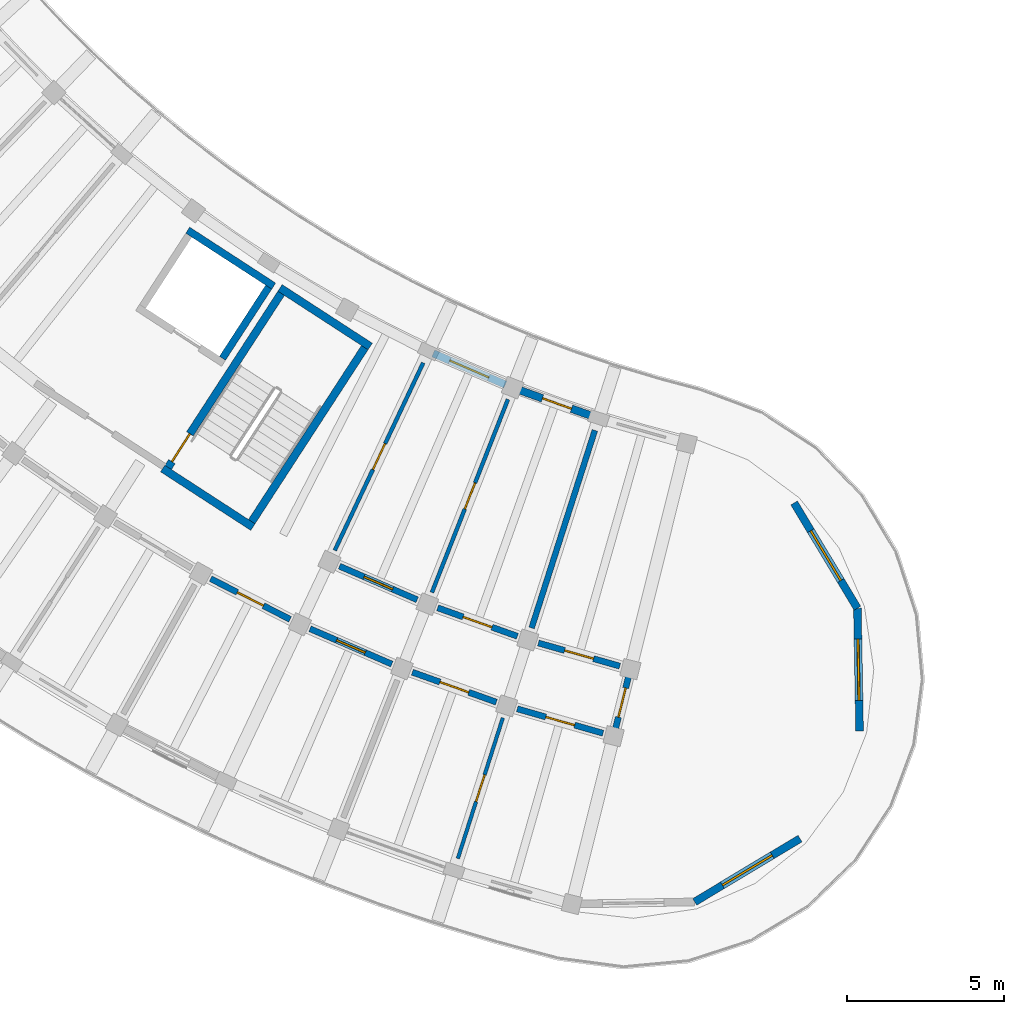
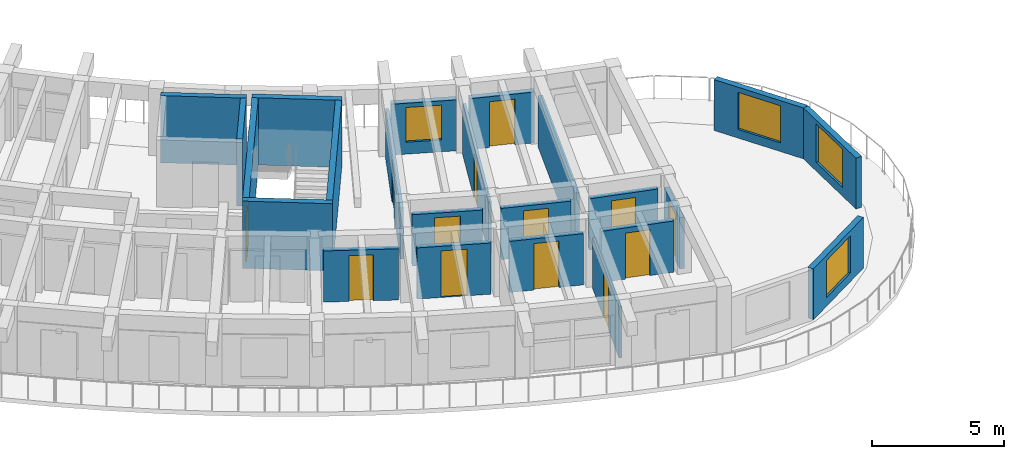
# One storey, part 42 of 81: 23 walls, 13 doors, 4 windows, 17 openings.
"""IFC4 building model written with IfcOpenShell, lengths in metres."""

from ifc_helpers import new_model, si_unit, direction, frame, frame_2d, origin, place, context, subcontext, project, spatial, rectangle, extrude, material, layer, layer_set, type_object, element, fill, save


model = new_model("IFC4")

# Units and contexts
model_context = context("Model", 3, precision=1e-05, world=origin(), true_north=direction((0.0, 1.0)))
body_context = subcontext(model_context, "Body", "Model", "MODEL_VIEW")
ifc_project = project(units=[si_unit("LENGTHUNIT", "METRE"), si_unit("AREAUNIT", "SQUARE_METRE"), si_unit("VOLUMEUNIT", "CUBIC_METRE"), si_unit("PLANEANGLEUNIT", "RADIAN"), si_unit("MASSUNIT", "GRAM", prefix="KILO")], contexts=[model_context])

# Site, building, storey
site_placement = place(None, origin())
site = spatial("IfcSite", under=ifc_project, at=site_placement, CompositionType="ELEMENT")
building_placement = place(site_placement, origin())
building = spatial("IfcBuilding", under=site, at=building_placement, Name="Tanwirah Colonnade Gardens", CompositionType="ELEMENT")
storey_placement = place(building_placement, frame((0.0, 0.0, 18.919921875)))
storey = spatial("IfcBuildingStorey", under=building, at=storey_placement, Name="L05", CompositionType="ELEMENT", Elevation=18.919921875)

# Wall, opening, window
ifc_material_1 = material(Name="Limestone architectural precast concrete C40/50", Category="masonry")
ifc_layer_1 = layer(ifc_material_1, 0.2451171875)
ifc_layer_set_1 = layer_set([ifc_layer_1], Name="Limestone architectural precast concrete C40/50")
wall_type_1 = type_object("IfcWallType", Name="EW-PC245", PredefinedType="SOLIDWALL", material=ifc_layer_set_1)
wall_1_placement = place(storey_placement, frame((46.185791015625, 24.2333984375, 0.0), z_axis=(0.0, 0.0, 1.0), x_axis=(0.91795321239, -0.396688668686, 0.0)))
wall_1 = element("IfcWall", 1, at=wall_1_placement, inside=storey, type_object=wall_type_1, Name="Block C L05 IN Precast Facade Wall 13", PredefinedType="SOLIDWALL", context=body_context, shape_type="SweptSolid", body=[
    extrude(rectangle(XDim=2.498779296875, YDim=0.2451171875, at=frame_2d((1.24951171875, 0.0))), origin(), (0.0, 0.0, 1.0), 2.35498046875),
])
opening_1_placement = place(wall_1_placement, frame((0.5693359375, 0.0, 0.550048828125)))
opening_1 = element("IfcOpeningElement", 2, at=opening_1_placement, cuts=wall_1, Name="Opening WIN-U06", PredefinedType="OPENING", context=body_context, shape_type="SweptSolid", body=[
    extrude(rectangle(XDim=1.360107421875, YDim=1.610107421875, at=frame_2d((0.68017578125, 0.80517578125))), frame((0.0, 0.132568359375, 0.0), z_axis=(0.0, -1.0, 0.0), x_axis=(1.0, 0.0, 0.0)), (0.0, 0.0, 1.0), 0.26513671875),
])
ifc_material_2 = material(Name="Thermally broken bronze aluminium and solar low-E double glazing", Category="aluminium")
window_type_1 = type_object("IfcWindowType", Name="WIN-U06", PartitioningType="DOUBLE_PANEL_VERTICAL", PredefinedType="WINDOW", material=ifc_material_2)
window_1_placement = place(opening_1_placement, origin())
window_1 = element("IfcWindow", 3, at=window_1_placement, inside=storey, type_object=window_type_1, Name="Facade window C-L05-IN-13", OverallHeight=1.610107421875, OverallWidth=1.360107421875, PartitioningType="SINGLE_PANEL", PredefinedType="WINDOW", context=body_context, shape_type="SweptSolid", body=[
    extrude(rectangle(XDim=1.360107421875, YDim=1.610107421875, at=frame_2d((0.68017578125, 0.80517578125))), frame((0.0, 0.030029296875, 0.0), z_axis=(0.0, -1.0, 0.0), x_axis=(1.0, 0.0, 0.0)), (0.0, 0.0, 1.0), 0.06005859375),
])
fill(opening_1, window_1)

# Wall, opening, door
wall_2_placement = place(storey_placement, frame((48.944580078125, 23.05908203125, 0.0), z_axis=(0.0, 0.0, 1.0), x_axis=(0.941892135469, -0.33591547321, 0.0)))
wall_2 = element("IfcWall", 4, at=wall_2_placement, inside=storey, type_object=wall_type_1, Name="Block C L05 IN Precast Facade Wall 14", PredefinedType="SOLIDWALL", context=body_context, shape_type="SweptSolid", body=[
    extrude(rectangle(XDim=2.498779296875, YDim=0.2451171875, at=frame_2d((1.24951171875, 0.0))), origin(), (0.0, 0.0, 1.0), 2.35498046875),
])
opening_2_placement = place(wall_2_placement, frame((0.759521484375, 0.0, 0.0)))
opening_2 = element("IfcOpeningElement", 5, at=opening_2_placement, cuts=wall_2, Name="Opening L05-ED153", PredefinedType="OPENING", context=body_context, shape_type="SweptSolid", body=[
    extrude(rectangle(XDim=0.97998046875, YDim=2.1201171875, at=frame_2d((0.489990234375, 1.06005859375))), frame((0.0, 0.132568359375, 0.0), z_axis=(0.0, -1.0, 0.0), x_axis=(1.0, 0.0, 0.0)), (0.0, 0.0, 1.0), 0.26513671875),
])
ifc_material_3 = material(Name="Bronze aluminium glazed balcony door", Category="aluminium")
door_type_1 = type_object("IfcDoorType", Name="ED-BAL098", OperationType="NOTDEFINED", PredefinedType="DOOR", material=ifc_material_3)
door_1_placement = place(opening_2_placement, origin())
door_1 = element("IfcDoor", 6, at=door_1_placement, inside=storey, type_object=door_type_1, Name="Balcony glazed door L05-ED153", OperationType="SINGLE_SWING_RIGHT", OverallHeight=2.1201171875, OverallWidth=0.97998046875, PredefinedType="DOOR", context=body_context, shape_type="SweptSolid", body=[
    extrude(rectangle(XDim=0.97998046875, YDim=2.1201171875, at=frame_2d((0.489990234375, 1.06005859375))), frame((0.0, 0.02490234375, 0.0), z_axis=(0.0, -1.0, 0.0), x_axis=(1.0, 0.0, 0.0)), (0.0, 0.0, 1.0), 0.050048828125),
])
fill(opening_2, door_1)

# Wall, opening, window
wall_3_placement = place(storey_placement, frame((57.664794921875, 19.4755859375, 0.0), z_axis=(0.0, 0.0, 1.0), x_axis=(0.515019321998, -0.857178568309, 0.0)))
wall_3 = element("IfcWall", 7, at=wall_3_placement, inside=storey, type_object=wall_type_1, Name="Block C L05 END Rounded End Wall 1", PredefinedType="SOLIDWALL", context=body_context, shape_type="SweptSolid", body=[
    extrude(rectangle(XDim=3.907958984375, YDim=0.2451171875, at=frame_2d((1.9541015625, 0.0))), origin(), (0.0, 0.0, 1.0), 2.35498046875),
])
opening_3_placement = place(wall_3_placement, frame((1.029052734375, 0.0, 0.39990234375)))
opening_3 = element("IfcOpeningElement", 8, at=opening_3_placement, cuts=wall_3, Name="Opening WIN-END1", PredefinedType="OPENING", context=body_context, shape_type="SweptSolid", body=[
    extrude(rectangle(XDim=1.85009765625, YDim=1.719970703125, at=frame_2d((0.925048828125, 0.85986328125))), frame((0.0, 0.132568359375, 0.0), z_axis=(0.0, -1.0, 0.0), x_axis=(1.0, 0.0, 0.0)), (0.0, 0.0, 1.0), 0.26513671875),
])
window_type_2 = type_object("IfcWindowType", Name="WIN-END1", PartitioningType="TRIPLE_PANEL_VERTICAL", PredefinedType="WINDOW", material=ifc_material_2)
window_2_placement = place(opening_3_placement, origin())
window_2 = element("IfcWindow", 9, at=window_2_placement, inside=storey, type_object=window_type_2, Name="Rounded corner window C-L05-END-1", OverallHeight=1.719970703125, OverallWidth=1.85009765625, PartitioningType="SINGLE_PANEL", PredefinedType="WINDOW", context=body_context, shape_type="SweptSolid", body=[
    extrude(rectangle(XDim=1.85009765625, YDim=1.719970703125, at=frame_2d((0.925048828125, 0.85986328125))), frame((0.0, 0.030029296875, 0.0), z_axis=(0.0, -1.0, 0.0), x_axis=(1.0, 0.0, 0.0)), (0.0, 0.0, 1.0), 0.06005859375),
])
fill(opening_3, window_2)

wall_4_placement = place(storey_placement, frame((59.677490234375, 16.125732421875, 0.0), z_axis=(0.0, 0.0, 1.0), x_axis=(0.017490763899, -0.999847024888, 0.0)))
wall_4 = element("IfcWall", 10, at=wall_4_placement, inside=storey, type_object=wall_type_1, Name="Block C L05 END Rounded End Wall 2", PredefinedType="SOLIDWALL", context=body_context, shape_type="SweptSolid", body=[
    extrude(rectangle(XDim=3.908203125, YDim=0.2451171875, at=frame_2d((1.9541015625, 0.0))), origin(), (0.0, 0.0, 1.0), 2.35498046875),
])
opening_4_placement = place(wall_4_placement, frame((0.97900390625, 0.0, 0.39990234375)))
opening_4 = element("IfcOpeningElement", 11, at=opening_4_placement, cuts=wall_4, Name="Opening WIN-END2", PredefinedType="OPENING", context=body_context, shape_type="SweptSolid", body=[
    extrude(rectangle(XDim=1.949951171875, YDim=1.780029296875, at=frame_2d((0.97509765625, 0.89013671875))), frame((0.0, 0.132568359375, 0.0), z_axis=(0.0, -1.0, 0.0), x_axis=(1.0, 0.0, 0.0)), (0.0, 0.0, 1.0), 0.26513671875),
])
window_type_3 = type_object("IfcWindowType", Name="WIN-END2", PartitioningType="TRIPLE_PANEL_VERTICAL", PredefinedType="WINDOW", material=ifc_material_2)
window_3_placement = place(opening_4_placement, origin())
window_3 = element("IfcWindow", 12, at=window_3_placement, inside=storey, type_object=window_type_3, Name="Rounded corner window C-L05-END-2", OverallHeight=1.780029296875, OverallWidth=1.949951171875, PartitioningType="SINGLE_PANEL", PredefinedType="WINDOW", context=body_context, shape_type="SweptSolid", body=[
    extrude(rectangle(XDim=1.949951171875, YDim=1.780029296875, at=frame_2d((0.97509765625, 0.89013671875))), frame((0.0, 0.030029296875, 0.0), z_axis=(0.0, -1.0, 0.0), x_axis=(1.0, 0.0, 0.0)), (0.0, 0.0, 1.0), 0.06005859375),
])
fill(opening_4, window_3)

wall_5_placement = place(storey_placement, frame((57.85107421875, 8.800048828125, 0.0), z_axis=(0.0, 0.0, 1.0), x_axis=(-0.85715098885, -0.515065221417, 0.0)))
wall_5 = element("IfcWall", 13, at=wall_5_placement, inside=storey, type_object=wall_type_1, Name="Block C L05 END Rounded End Wall 4", PredefinedType="SOLIDWALL", context=body_context, shape_type="SweptSolid", body=[
    extrude(rectangle(XDim=3.908203125, YDim=0.2451171875, at=frame_2d((1.9541015625, 0.0))), origin(), (0.0, 0.0, 1.0), 2.35498046875),
])
opening_5_placement = place(wall_5_placement, frame((1.029052734375, 0.0, 0.39990234375)))
opening_5 = element("IfcOpeningElement", 14, at=opening_5_placement, cuts=wall_5, Name="Opening WIN-END1", PredefinedType="OPENING", context=body_context, shape_type="SweptSolid", body=[
    extrude(rectangle(XDim=1.85009765625, YDim=1.719970703125, at=frame_2d((0.925048828125, 0.85986328125))), frame((0.0, 0.132568359375, 0.0), z_axis=(0.0, -1.0, 0.0), x_axis=(1.0, 0.0, 0.0)), (0.0, 0.0, 1.0), 0.26513671875),
])
window_4_placement = place(opening_5_placement, origin())
window_4 = element("IfcWindow", 15, at=window_4_placement, inside=storey, type_object=window_type_2, Name="Rounded corner window C-L05-END-4", OverallHeight=1.719970703125, OverallWidth=1.85009765625, PartitioningType="SINGLE_PANEL", PredefinedType="WINDOW", context=body_context, shape_type="SweptSolid", body=[
    extrude(rectangle(XDim=1.85009765625, YDim=1.719970703125, at=frame_2d((0.925048828125, 0.85986328125))), frame((0.0, 0.030029296875, 0.0), z_axis=(0.0, -1.0, 0.0), x_axis=(1.0, 0.0, 0.0)), (0.0, 0.0, 1.0), 0.06005859375),
])
fill(opening_5, window_4)

# Wall, opening, door
ifc_material_4 = material(Name="Precast concrete C40/50", Category="concrete")
ifc_layer_2 = layer(ifc_material_4, 0.195068359375)
ifc_layer_set_2 = layer_set([ifc_layer_2], Name="Precast concrete C40/50")
wall_type_2 = type_object("IfcWallType", Name="IW-CORR195", PredefinedType="PARTITIONING", material=ifc_layer_set_2)
wall_6_placement = place(storey_placement, frame((39.107421875, 17.067138671875, 0.0), z_axis=(0.0, 0.0, 1.0), x_axis=(0.890030590607, -0.45590080915, 0.0)))
wall_6 = element("IfcWall", 16, at=wall_6_placement, inside=storey, type_object=wall_type_2, Name="Block C L05 OUT Corridor Wall 12", PredefinedType="PARTITIONING", context=body_context, shape_type="SweptSolid", body=[
    extrude(rectangle(XDim=2.837158203125, YDim=0.195068359375, at=frame_2d((1.41845703125, 0.0))), origin(), (0.0, 0.0, 1.0), 2.3701171875),
])
opening_6_placement = place(wall_6_placement, frame((0.95361328125, 0.0, 0.0)))
opening_6 = element("IfcOpeningElement", 17, at=opening_6_placement, cuts=wall_6, Name="Opening L05-AD1493", PredefinedType="OPENING", context=body_context, shape_type="SweptSolid", body=[
    extrude(rectangle(XDim=0.929931640625, YDim=2.1201171875, at=frame_2d((0.46484375, 1.06005859375))), frame((0.0, 0.107421875, 0.0), z_axis=(0.0, -1.0, 0.0), x_axis=(1.0, 0.0, 0.0)), (0.0, 0.0, 1.0), 0.215087890625),
])
ifc_material_5 = material(Name="Solid oak fire-resisting apartment entrance door")
door_type_2 = type_object("IfcDoorType", Name="ID-FLT093", OperationType="NOTDEFINED", PredefinedType="DOOR", material=ifc_material_5)
door_2_placement = place(opening_6_placement, origin())
door_2 = element("IfcDoor", 18, at=door_2_placement, inside=storey, type_object=door_type_2, Name="Apartment corridor door L05-AD1493", OperationType="SINGLE_SWING_RIGHT", OverallHeight=2.1201171875, OverallWidth=0.929931640625, PredefinedType="DOOR", context=body_context, shape_type="SweptSolid", body=[
    extrude(rectangle(XDim=0.929931640625, YDim=2.1201171875, at=frame_2d((0.46484375, 1.06005859375))), frame((0.0, 0.02490234375, 0.0), z_axis=(0.0, -1.0, 0.0), x_axis=(1.0, 0.0, 0.0)), (0.0, 0.0, 1.0), 0.050048828125),
])
fill(opening_6, door_2)

wall_7_placement = place(storey_placement, frame((42.26513671875, 15.475341796875, 0.0), z_axis=(0.0, 0.0, 1.0), x_axis=(0.917943439406, -0.396711282991, 0.0)))
wall_7 = element("IfcWall", 19, at=wall_7_placement, inside=storey, type_object=wall_type_2, Name="Block C L05 OUT Corridor Wall 13", PredefinedType="PARTITIONING", context=body_context, shape_type="SweptSolid", body=[
    extrude(rectangle(XDim=2.837158203125, YDim=0.195068359375, at=frame_2d((1.41845703125, 0.0))), origin(), (0.0, 0.0, 1.0), 2.3701171875),
])
opening_7_placement = place(wall_7_placement, frame((0.923583984375, 0.0, 0.0)))
opening_7 = element("IfcOpeningElement", 20, at=opening_7_placement, cuts=wall_7, Name="Opening L05-AD1495", PredefinedType="OPENING", context=body_context, shape_type="SweptSolid", body=[
    extrude(rectangle(XDim=0.989990234375, YDim=2.159912109375, at=frame_2d((0.4951171875, 1.080078125))), frame((0.0, 0.107421875, 0.0), z_axis=(0.0, -1.0, 0.0), x_axis=(1.0, 0.0, 0.0)), (0.0, 0.0, 1.0), 0.215087890625),
])
door_type_3 = type_object("IfcDoorType", Name="ID-FLT099", OperationType="NOTDEFINED", PredefinedType="DOOR", material=ifc_material_5)
door_3_placement = place(opening_7_placement, origin())
door_3 = element("IfcDoor", 21, at=door_3_placement, inside=storey, type_object=door_type_3, Name="Apartment corridor door L05-AD1495", OperationType="SINGLE_SWING_LEFT", OverallHeight=2.159912109375, OverallWidth=0.989990234375, PredefinedType="DOOR", context=body_context, shape_type="SweptSolid", body=[
    extrude(rectangle(XDim=0.989990234375, YDim=2.159912109375, at=frame_2d((0.4951171875, 1.080078125))), frame((0.0, 0.02490234375, 0.0), z_axis=(0.0, -1.0, 0.0), x_axis=(1.0, 0.0, 0.0)), (0.0, 0.0, 1.0), 0.050048828125),
])
fill(opening_7, door_3)

wall_8_placement = place(storey_placement, frame((43.20361328125, 17.465087890625, 0.0), z_axis=(0.0, 0.0, 1.0), x_axis=(0.91793557165, -0.39672948756, 0.0)))
wall_8 = element("IfcWall", 22, at=wall_8_placement, inside=storey, type_object=wall_type_2, Name="Block C L05 IN Corridor Wall 13", PredefinedType="PARTITIONING", context=body_context, shape_type="SweptSolid", body=[
    extrude(rectangle(XDim=2.69287109375, YDim=0.195068359375, at=frame_2d((1.346435546875, 0.0))), origin(), (0.0, 0.0, 1.0), 2.3701171875),
])
opening_8_placement = place(wall_8_placement, frame((0.8515625, 0.0, 0.0)))
opening_8 = element("IfcOpeningElement", 23, at=opening_8_placement, cuts=wall_8, Name="Opening L05-AD1496", PredefinedType="OPENING", context=body_context, shape_type="SweptSolid", body=[
    extrude(rectangle(XDim=0.989990234375, YDim=2.159912109375, at=frame_2d((0.4951171875, 1.080078125))), frame((0.0, 0.107421875, 0.0), z_axis=(0.0, -1.0, 0.0), x_axis=(1.0, 0.0, 0.0)), (0.0, 0.0, 1.0), 0.215087890625),
])
door_4_placement = place(opening_8_placement, origin())
door_4 = element("IfcDoor", 24, at=door_4_placement, inside=storey, type_object=door_type_3, Name="Apartment corridor door L05-AD1496", OperationType="SINGLE_SWING_RIGHT", OverallHeight=2.159912109375, OverallWidth=0.989990234375, PredefinedType="DOOR", context=body_context, shape_type="SweptSolid", body=[
    extrude(rectangle(XDim=0.989990234375, YDim=2.159912109375, at=frame_2d((0.4951171875, 1.080078125))), frame((0.0, 0.02490234375, 0.0), z_axis=(0.0, -1.0, 0.0), x_axis=(1.0, 0.0, 0.0)), (0.0, 0.0, 1.0), 0.050048828125),
])
fill(opening_8, door_4)

wall_9_placement = place(storey_placement, frame((45.520263671875, 14.09326171875, 0.0), z_axis=(0.0, 0.0, 1.0), x_axis=(0.941930628611, -0.335807520589, 0.0)))
wall_9 = element("IfcWall", 25, at=wall_9_placement, inside=storey, type_object=wall_type_2, Name="Block C L05 OUT Corridor Wall 14", PredefinedType="PARTITIONING", context=body_context, shape_type="SweptSolid", body=[
    extrude(rectangle(XDim=2.8369140625, YDim=0.195068359375, at=frame_2d((1.41845703125, 0.0))), origin(), (0.0, 0.0, 1.0), 2.3701171875),
])
opening_9_placement = place(wall_9_placement, frame((0.93359375, 0.0, 0.0)))
opening_9 = element("IfcOpeningElement", 26, at=opening_9_placement, cuts=wall_9, Name="Opening L05-AD1498", PredefinedType="OPENING", context=body_context, shape_type="SweptSolid", body=[
    extrude(rectangle(XDim=0.969970703125, YDim=2.14990234375, at=frame_2d((0.48486328125, 1.074951171875))), frame((0.0, 0.107421875, 0.0), z_axis=(0.0, -1.0, 0.0), x_axis=(1.0, 0.0, 0.0)), (0.0, 0.0, 1.0), 0.215087890625),
])
door_type_4 = type_object("IfcDoorType", Name="ID-FLT097", OperationType="NOTDEFINED", PredefinedType="DOOR", material=ifc_material_5)
door_5_placement = place(opening_9_placement, origin())
door_5 = element("IfcDoor", 27, at=door_5_placement, inside=storey, type_object=door_type_4, Name="Apartment corridor door L05-AD1498", OperationType="SINGLE_SWING_RIGHT", OverallHeight=2.14990234375, OverallWidth=0.969970703125, PredefinedType="DOOR", context=body_context, shape_type="SweptSolid", body=[
    extrude(rectangle(XDim=0.969970703125, YDim=2.14990234375, at=frame_2d((0.48486328125, 1.074951171875))), frame((0.0, 0.02490234375, 0.0), z_axis=(0.0, -1.0, 0.0), x_axis=(1.0, 0.0, 0.0)), (0.0, 0.0, 1.0), 0.050048828125),
])
fill(opening_9, door_5)

wall_10_placement = place(storey_placement, frame((46.32666015625, 16.140380859375, 0.0), z_axis=(0.0, 0.0, 1.0), x_axis=(0.941895652647, -0.335905611036, 0.0)))
wall_10 = element("IfcWall", 28, at=wall_10_placement, inside=storey, type_object=wall_type_2, Name="Block C L05 IN Corridor Wall 14", PredefinedType="PARTITIONING", context=body_context, shape_type="SweptSolid", body=[
    extrude(rectangle(XDim=2.69287109375, YDim=0.195068359375, at=frame_2d((1.346435546875, 0.0))), origin(), (0.0, 0.0, 1.0), 2.3701171875),
])
opening_10_placement = place(wall_10_placement, frame((0.861572265625, 0.0, 0.0)))
opening_10 = element("IfcOpeningElement", 29, at=opening_10_placement, cuts=wall_10, Name="Opening L05-AD1499", PredefinedType="OPENING", context=body_context, shape_type="SweptSolid", body=[
    extrude(rectangle(XDim=0.969970703125, YDim=2.14990234375, at=frame_2d((0.48486328125, 1.074951171875))), frame((0.0, 0.107421875, 0.0), z_axis=(0.0, -1.0, 0.0), x_axis=(1.0, 0.0, 0.0)), (0.0, 0.0, 1.0), 0.215087890625),
])
door_6_placement = place(opening_10_placement, origin())
door_6 = element("IfcDoor", 30, at=door_6_placement, inside=storey, type_object=door_type_4, Name="Apartment corridor door L05-AD1499", OperationType="SINGLE_SWING_LEFT", OverallHeight=2.14990234375, OverallWidth=0.969970703125, PredefinedType="DOOR", context=body_context, shape_type="SweptSolid", body=[
    extrude(rectangle(XDim=0.969970703125, YDim=2.14990234375, at=frame_2d((0.48486328125, 1.074951171875))), frame((0.0, 0.02490234375, 0.0), z_axis=(0.0, -1.0, 0.0), x_axis=(1.0, 0.0, 0.0)), (0.0, 0.0, 1.0), 0.050048828125),
])
fill(opening_10, door_6)

wall_11_placement = place(storey_placement, frame((48.858642578125, 12.92724609375, 0.0), z_axis=(0.0, 0.0, 1.0), x_axis=(0.961873892319, -0.273493355085, 0.0)))
wall_11 = element("IfcWall", 31, at=wall_11_placement, inside=storey, type_object=wall_type_2, Name="Block C L05 OUT Corridor Wall 15", PredefinedType="PARTITIONING", context=body_context, shape_type="SweptSolid", body=[
    extrude(rectangle(XDim=2.8369140625, YDim=0.195068359375, at=frame_2d((1.41845703125, 0.0))), origin(), (0.0, 0.0, 1.0), 2.3701171875),
])
opening_11_placement = place(wall_11_placement, frame((0.943603515625, 0.0, 0.0)))
opening_11 = element("IfcOpeningElement", 32, at=opening_11_placement, cuts=wall_11, Name="Opening L05-AD1501", PredefinedType="OPENING", context=body_context, shape_type="SweptSolid", body=[
    extrude(rectangle(XDim=0.949951171875, YDim=2.1298828125, at=frame_2d((0.47509765625, 1.06494140625))), frame((0.0, 0.107421875, 0.0), z_axis=(0.0, -1.0, 0.0), x_axis=(1.0, 0.0, 0.0)), (0.0, 0.0, 1.0), 0.215087890625),
])
door_type_5 = type_object("IfcDoorType", Name="ID-FLT095", OperationType="NOTDEFINED", PredefinedType="DOOR", material=ifc_material_5)
door_7_placement = place(opening_11_placement, origin())
door_7 = element("IfcDoor", 33, at=door_7_placement, inside=storey, type_object=door_type_5, Name="Apartment corridor door L05-AD1501", OperationType="SINGLE_SWING_LEFT", OverallHeight=2.1298828125, OverallWidth=0.949951171875, PredefinedType="DOOR", context=body_context, shape_type="SweptSolid", body=[
    extrude(rectangle(XDim=0.949951171875, YDim=2.1298828125, at=frame_2d((0.47509765625, 1.06494140625))), frame((0.0, 0.02490234375, 0.0), z_axis=(0.0, -1.0, 0.0), x_axis=(1.0, 0.0, 0.0)), (0.0, 0.0, 1.0), 0.050048828125),
])
fill(opening_11, door_7)

wall_12_placement = place(storey_placement, frame((49.529541015625, 15.0224609375, 0.0), z_axis=(0.0, 0.0, 1.0), x_axis=(0.961861926514, -0.273535435224, 0.0)))
wall_12 = element("IfcWall", 34, at=wall_12_placement, inside=storey, type_object=wall_type_2, Name="Block C L05 IN Corridor Wall 15", PredefinedType="PARTITIONING", context=body_context, shape_type="SweptSolid", body=[
    extrude(rectangle(XDim=2.69287109375, YDim=0.195068359375, at=frame_2d((1.346435546875, 0.0))), origin(), (0.0, 0.0, 1.0), 2.3701171875),
])
opening_12_placement = place(wall_12_placement, frame((0.87158203125, 0.0, 0.0)))
opening_12 = element("IfcOpeningElement", 35, at=opening_12_placement, cuts=wall_12, Name="Opening L05-AD1502", PredefinedType="OPENING", context=body_context, shape_type="SweptSolid", body=[
    extrude(rectangle(XDim=0.949951171875, YDim=2.1298828125, at=frame_2d((0.47509765625, 1.06494140625))), frame((0.0, 0.107421875, 0.0), z_axis=(0.0, -1.0, 0.0), x_axis=(1.0, 0.0, 0.0)), (0.0, 0.0, 1.0), 0.215087890625),
])
door_8_placement = place(opening_12_placement, origin())
door_8 = element("IfcDoor", 36, at=door_8_placement, inside=storey, type_object=door_type_5, Name="Apartment corridor door L05-AD1502", OperationType="SINGLE_SWING_RIGHT", OverallHeight=2.1298828125, OverallWidth=0.949951171875, PredefinedType="DOOR", context=body_context, shape_type="SweptSolid", body=[
    extrude(rectangle(XDim=0.949951171875, YDim=2.1298828125, at=frame_2d((0.47509765625, 1.06494140625))), frame((0.0, 0.02490234375, 0.0), z_axis=(0.0, -1.0, 0.0), x_axis=(1.0, 0.0, 0.0)), (0.0, 0.0, 1.0), 0.050048828125),
])
fill(opening_12, door_8)

wall_13_placement = place(storey_placement, frame((52.4443359375, 14.1416015625, 0.0), z_axis=(0.0, 0.0, 1.0), x_axis=(-0.241933770084, -0.970292765557, 0.0)))
wall_13 = element("IfcWall", 37, at=wall_13_placement, inside=storey, type_object=wall_type_2, Name="Block C L05 CE Corner Suite Corridor Wall", PredefinedType="PARTITIONING", context=body_context, shape_type="SweptSolid", body=[
    extrude(rectangle(XDim=2.10009765625, YDim=0.195068359375, at=frame_2d((1.050048828125, 0.0))), origin(), (0.0, 0.0, 1.0), 2.3701171875),
])
opening_13_placement = place(wall_13_placement, frame((0.570068359375, 0.0, 0.0)))
opening_13 = element("IfcOpeningElement", 38, at=opening_13_placement, cuts=wall_13, Name="Opening L05-CD1504", PredefinedType="OPENING", context=body_context, shape_type="SweptSolid", body=[
    extrude(rectangle(XDim=0.949951171875, YDim=2.1298828125, at=frame_2d((0.47509765625, 1.06494140625))), frame((0.0, 0.107421875, 0.0), z_axis=(0.0, -1.0, 0.0), x_axis=(1.0, 0.0, 0.0)), (0.0, 0.0, 1.0), 0.215087890625),
])
door_9_placement = place(opening_13_placement, origin())
door_9 = element("IfcDoor", 39, at=door_9_placement, inside=storey, type_object=door_type_5, Name="Corner suite entrance door L05-CD1504", OperationType="SINGLE_SWING_RIGHT", OverallHeight=2.1298828125, OverallWidth=0.949951171875, PredefinedType="DOOR", context=body_context, shape_type="SweptSolid", body=[
    extrude(rectangle(XDim=0.949951171875, YDim=2.1298828125, at=frame_2d((0.47509765625, 1.06494140625))), frame((0.0, 0.02490234375, 0.0), z_axis=(0.0, -1.0, 0.0), x_axis=(1.0, 0.0, 0.0)), (0.0, 0.0, 1.0), 0.050048828125),
])
fill(opening_13, door_9)

# Wall
ifc_layer_3 = layer(ifc_material_4, 0.18505859375)
ifc_layer_set_3 = layer_set([ifc_layer_3], Name="Precast concrete C40/50")
wall_type_3 = type_object("IfcWallType", Name="IW-DEM185", PredefinedType="PARTITIONING", material=ifc_layer_set_3)
wall_14_placement = place(storey_placement, frame((51.326904296875, 21.78515625, 0.0), z_axis=(0.0, 0.0, 1.0), x_axis=(-0.304875046605, -0.95239235925, 0.0)))
element("IfcWall", 40, at=wall_14_placement, inside=storey, type_object=wall_type_3, Name="Block C L05 Inner Radial Partition 14", PredefinedType="PARTITIONING", context=body_context, shape_type="SweptSolid", body=[
    extrude(rectangle(XDim=6.60009765625, YDim=0.18505859375, at=frame_2d((3.300048828125, 0.0))), origin(), (0.0, 0.0, 1.0), 2.3701171875),
])

# Wall, opening, door
ifc_material_6 = material(Name="Acoustic gypsum stud partition")
ifc_layer_4 = layer(ifc_material_6, 0.114990234375)
ifc_layer_set_4 = layer_set([ifc_layer_4], Name="Acoustic gypsum stud partition")
wall_type_4 = type_object("IfcWallType", Name="IW-INT115", PredefinedType="PARTITIONING", material=ifc_layer_set_4)
wall_15_placement = place(storey_placement, frame((48.400146484375, 12.64208984375, 0.0), z_axis=(0.0, 0.0, 1.0), x_axis=(-0.304860540454, -0.952397002764, 0.0)))
wall_15 = element("IfcWall", 41, at=wall_15_placement, inside=storey, type_object=wall_type_4, Name="Block C L05 Radial Partition 14", PredefinedType="PARTITIONING", context=body_context, shape_type="SweptSolid", body=[
    extrude(rectangle(XDim=4.699951171875, YDim=0.114990234375, at=frame_2d((2.35009765625, 0.0))), origin(), (0.0, 0.0, 1.0), 2.3701171875),
])
opening_14_placement = place(wall_15_placement, frame((1.905029296875, 0.0, 0.0)))
opening_14 = element("IfcOpeningElement", 42, at=opening_14_placement, cuts=wall_15, Name="Opening L05-RD1500", PredefinedType="OPENING", context=body_context, shape_type="SweptSolid", body=[
    extrude(rectangle(XDim=0.889892578125, YDim=2.10009765625, at=frame_2d((0.44482421875, 1.050048828125))), frame((0.0, 0.0673828125, 0.0), z_axis=(0.0, -1.0, 0.0), x_axis=(1.0, 0.0, 0.0)), (0.0, 0.0, 1.0), 0.135009765625),
])
ifc_material_7 = material(Name="Painted hardwood bedroom door", Category="wood")
door_type_6 = type_object("IfcDoorType", Name="ID-RM089", OperationType="NOTDEFINED", PredefinedType="DOOR", material=ifc_material_7)
door_10_placement = place(opening_14_placement, origin())
door_10 = element("IfcDoor", 43, at=door_10_placement, inside=storey, type_object=door_type_6, Name="Internal apartment door L05-RD1500", OperationType="SINGLE_SWING_RIGHT", OverallHeight=2.10009765625, OverallWidth=0.889892578125, PredefinedType="DOOR", context=body_context, shape_type="SweptSolid", body=[
    extrude(rectangle(XDim=0.889892578125, YDim=2.10009765625, at=frame_2d((0.44482421875, 1.050048828125))), frame((0.0, 0.02490234375, 0.0), z_axis=(0.0, -1.0, 0.0), x_axis=(1.0, 0.0, 0.0)), (0.0, 0.0, 1.0), 0.050048828125),
])
fill(opening_14, door_10)

ifc_material_8 = material(Name="Moisture-resistant gypsum stud partition")
ifc_layer_5 = layer(ifc_material_8, 0.125)
ifc_layer_set_5 = layer_set([ifc_layer_5], Name="Moisture-resistant gypsum stud partition")
wall_type_5 = type_object("IfcWallType", Name="IW-INT125", PredefinedType="PARTITIONING", material=ifc_layer_set_5)
wall_16_placement = place(storey_placement, frame((45.868408203125, 23.935302734375, 0.0), z_axis=(0.0, 0.0, 1.0), x_axis=(-0.426573573579, -0.904452865728, 0.0)))
wall_16 = element("IfcWall", 44, at=wall_16_placement, inside=storey, type_object=wall_type_5, Name="Block C L05 Inner Radial Partition 12", PredefinedType="PARTITIONING", context=body_context, shape_type="SweptSolid", body=[
    extrude(rectangle(XDim=6.60009765625, YDim=0.125, at=frame_2d((3.300048828125, 0.0))), origin(), (0.0, 0.0, 1.0), 2.3701171875),
])
opening_15_placement = place(wall_16_placement, frame((2.844970703125, 0.0, 0.0)))
opening_15 = element("IfcOpeningElement", 45, at=opening_15_placement, cuts=wall_16, Name="Opening L05-RD1494", PredefinedType="OPENING", context=body_context, shape_type="SweptSolid", body=[
    extrude(rectangle(XDim=0.909912109375, YDim=2.10009765625, at=frame_2d((0.455078125, 1.050048828125))), frame((0.0, 0.072509765625, 0.0), z_axis=(0.0, -1.0, 0.0), x_axis=(1.0, 0.0, 0.0)), (0.0, 0.0, 1.0), 0.14501953125),
])
ifc_material_9 = material(Name="Painted hardwood internal room door", Category="wood")
door_type_7 = type_object("IfcDoorType", Name="ID-RM091", OperationType="NOTDEFINED", PredefinedType="DOOR", material=ifc_material_9)
door_11_placement = place(opening_15_placement, origin())
door_11 = element("IfcDoor", 46, at=door_11_placement, inside=storey, type_object=door_type_7, Name="Internal apartment door L05-RD1494", OperationType="SINGLE_SWING_LEFT", OverallHeight=2.10009765625, OverallWidth=0.909912109375, PredefinedType="DOOR", context=body_context, shape_type="SweptSolid", body=[
    extrude(rectangle(XDim=0.909912109375, YDim=2.10009765625, at=frame_2d((0.455078125, 1.050048828125))), frame((0.0, 0.02490234375, 0.0), z_axis=(0.0, -1.0, 0.0), x_axis=(1.0, 0.0, 0.0)), (0.0, 0.0, 1.0), 0.050048828125),
])
fill(opening_15, door_11)

wall_17_placement = place(storey_placement, frame((48.5625, 22.770751953125, 0.0), z_axis=(0.0, 0.0, 1.0), x_axis=(-0.366512873936, -0.930412979939, 0.0)))
wall_17 = element("IfcWall", 47, at=wall_17_placement, inside=storey, type_object=wall_type_5, Name="Block C L05 Inner Radial Partition 13", PredefinedType="PARTITIONING", context=body_context, shape_type="SweptSolid", body=[
    extrude(rectangle(XDim=6.599853515625, YDim=0.125, at=frame_2d((3.2998046875, 0.0))), origin(), (0.0, 0.0, 1.0), 2.3701171875),
])
opening_16_placement = place(wall_17_placement, frame((2.85498046875, 0.0, 0.0)))
opening_16 = element("IfcOpeningElement", 48, at=opening_16_placement, cuts=wall_17, Name="Opening L05-RD1497", PredefinedType="OPENING", context=body_context, shape_type="SweptSolid", body=[
    extrude(rectangle(XDim=0.889892578125, YDim=2.10009765625, at=frame_2d((0.44482421875, 1.050048828125))), frame((0.0, 0.072509765625, 0.0), z_axis=(0.0, -1.0, 0.0), x_axis=(1.0, 0.0, 0.0)), (0.0, 0.0, 1.0), 0.14501953125),
])
door_12_placement = place(opening_16_placement, origin())
door_12 = element("IfcDoor", 49, at=door_12_placement, inside=storey, type_object=door_type_6, Name="Internal apartment door L05-RD1497", OperationType="SINGLE_SWING_RIGHT", OverallHeight=2.10009765625, OverallWidth=0.889892578125, PredefinedType="DOOR", context=body_context, shape_type="SweptSolid", body=[
    extrude(rectangle(XDim=0.889892578125, YDim=2.10009765625, at=frame_2d((0.44482421875, 1.050048828125))), frame((0.0, 0.02490234375, 0.0), z_axis=(0.0, -1.0, 0.0), x_axis=(1.0, 0.0, 0.0)), (0.0, 0.0, 1.0), 0.050048828125),
])
fill(opening_16, door_12)

# Walls
ifc_material_10 = material(Name="Concrete C45/55", Category="concrete")
ifc_layer_6 = layer(ifc_material_10, 0.25)
ifc_layer_set_6 = layer_set([ifc_layer_6], Name="Concrete C45/55")
wall_type_6 = type_object("IfcWallType", Name="SW-CORE250", PredefinedType="SHEAR", material=ifc_layer_set_6)
wall_18_placement = place(storey_placement, frame((40.412841796875, 18.881591796875, 0.0), z_axis=(0.0, 0.0, 1.0), x_axis=(0.544629435258, 0.838676802022, 0.0)))
element("IfcWall", 50, at=wall_18_placement, inside=storey, type_object=wall_type_6, Name="CORE-C2 L05 Stair Shaft Shear Wall LEFT", PredefinedType="SHEAR", context=body_context, shape_type="SweptSolid", body=[
    extrude(rectangle(XDim=6.599853515625, YDim=0.25, at=frame_2d((3.2998046875, 0.0))), origin(), (0.0, 0.0, 1.0), 3.110107421875),
])
wall_19_placement = place(storey_placement, frame((44.180419921875, 24.45361328125, 0.0), z_axis=(0.0, 0.0, 1.0), x_axis=(-0.838699580527, 0.544594356953, 0.0)))
element("IfcWall", 51, at=wall_19_placement, inside=storey, type_object=wall_type_6, Name="CORE-C2 L05 Stair Shaft Shear Wall FAR", PredefinedType="SHEAR", context=body_context, shape_type="SweptSolid", body=[
    extrude(rectangle(XDim=3.420166015625, YDim=0.25, at=frame_2d((1.7099609375, 0.0))), origin(), (0.0, 0.0, 1.0), 3.110107421875),
])
wall_20_placement = place(storey_placement, frame((40.449462890625, 18.708740234375, 0.0), z_axis=(0.0, 0.0, 1.0), x_axis=(-0.838678407117, 0.544626963559, 0.0)))
element("IfcWall", 52, at=wall_20_placement, inside=storey, type_object=wall_type_6, Name="CORE-C2 L05 Stair Shaft Shear Wall NEAR", PredefinedType="SHEAR", context=body_context, shape_type="SweptSolid", body=[
    extrude(rectangle(XDim=3.419921875, YDim=0.25, at=frame_2d((1.7099609375, 0.0))), origin(), (0.0, 0.0, 1.0), 3.110107421875),
])

# Wall, opening, door
wall_21_placement = place(storey_placement, frame((37.754150390625, 20.608154296875, 0.0), z_axis=(0.0, 0.0, 1.0), x_axis=(0.544655453679, 0.838659905312, 0.0)))
wall_21 = element("IfcWall", 53, at=wall_21_placement, inside=storey, type_object=wall_type_6, Name="CORE-C2 L05 Stair Shaft Shear Wall RIGHT", PredefinedType="SHEAR", context=body_context, shape_type="SweptSolid", body=[
    extrude(rectangle(XDim=6.60009765625, YDim=0.25, at=frame_2d((3.300048828125, 0.0))), origin(), (0.0, 0.0, 1.0), 3.110107421875),
])
opening_17_placement = place(wall_21_placement, frame((0.219970703125, 0.0, 0.0)))
opening_17 = element("IfcOpeningElement", 54, at=opening_17_placement, cuts=wall_21, Name="Opening L05-SD151", PredefinedType="OPENING", context=body_context, shape_type="SweptSolid", body=[
    extrude(rectangle(XDim=1.050048828125, YDim=2.14990234375, at=frame_2d((0.52490234375, 1.074951171875))), frame((0.0, 0.135009765625, 0.0), z_axis=(0.0, -1.0, 0.0), x_axis=(1.0, 0.0, 0.0)), (0.0, 0.0, 1.0), 0.27001953125),
])
ifc_material_11 = material(Name="Steel fire-resisting stair enclosure door", Category="steel")
door_type_8 = type_object("IfcDoorType", Name="ID-ST105", OperationType="NOTDEFINED", PredefinedType="DOOR", material=ifc_material_11)
door_13_placement = place(opening_17_placement, origin())
door_13 = element("IfcDoor", 55, at=door_13_placement, inside=storey, type_object=door_type_8, Name="CORE-C2 L05 Stair Fire Door L05-SD151", OperationType="SINGLE_SWING_RIGHT", OverallHeight=2.14990234375, OverallWidth=1.050048828125, PredefinedType="DOOR", context=body_context, shape_type="SweptSolid", body=[
    extrude(rectangle(XDim=1.050048828125, YDim=2.14990234375, at=frame_2d((0.52490234375, 1.074951171875))), frame((0.0, 0.02490234375, 0.0), z_axis=(0.0, -1.0, 0.0), x_axis=(1.0, 0.0, 0.0)), (0.0, 0.0, 1.0), 0.050048828125),
])
fill(opening_17, door_13)

# Walls
ifc_layer_7 = layer(ifc_material_10, 0.22998046875)
ifc_layer_set_7 = layer_set([ifc_layer_7], Name="Concrete C45/55")
wall_type_7 = type_object("IfcWallType", Name="SW-LIFT230", PredefinedType="SHEAR", material=ifc_layer_set_7)
wall_22_placement = place(storey_placement, frame((41.111572265625, 26.374755859375, 0.0), z_axis=(0.0, 0.0, 1.0), x_axis=(-0.838638623546, 0.544688221919, 0.0)))
element("IfcWall", 56, at=wall_22_placement, inside=storey, type_object=wall_type_7, Name="CORE-C2 L05 Lift Shaft Wall BACK", PredefinedType="SHEAR", context=body_context, shape_type="SweptSolid", body=[
    extrude(rectangle(XDim=3.260009765625, YDim=0.22998046875, at=frame_2d((1.6298828125, 0.0))), origin(), (0.0, 0.0, 1.0), 3.110107421875),
])
wall_23_placement = place(storey_placement, frame((39.48193359375, 24.07666015625, 0.0), z_axis=(0.0, 0.0, 1.0), x_axis=(0.544686387605, 0.838639814913, 0.0)))
element("IfcWall", 57, at=wall_23_placement, inside=storey, type_object=wall_type_7, Name="CORE-C2 L05 Lift Shaft Wall SIDEA", PredefinedType="SHEAR", context=body_context, shape_type="SweptSolid", body=[
    extrude(rectangle(XDim=2.7001953125, YDim=0.22998046875, at=frame_2d((1.35009765625, 0.0))), origin(), (0.0, 0.0, 1.0), 3.110107421875),
])

save(model, "model.ifc")
